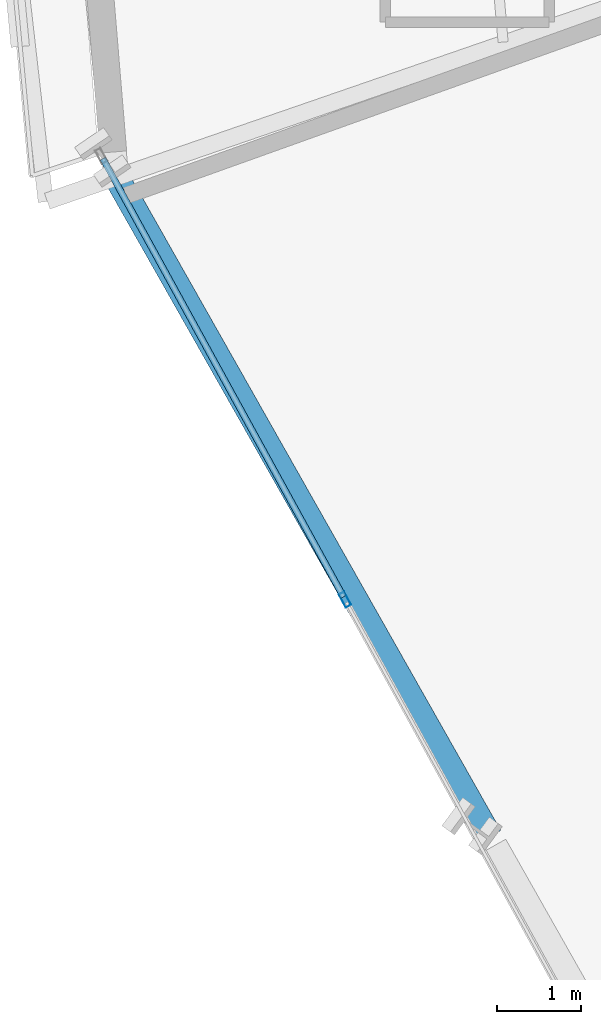
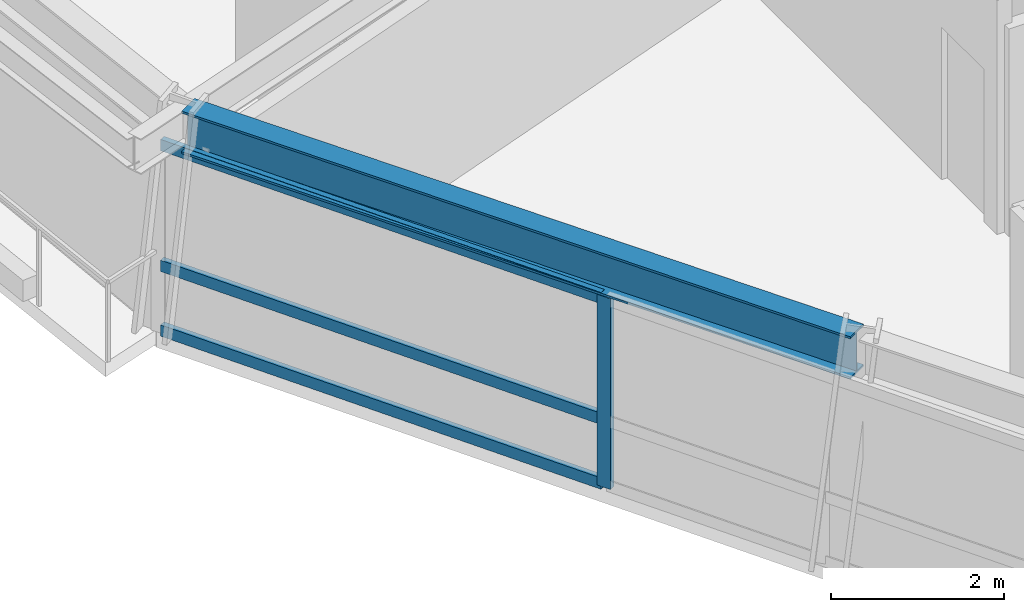
# One storey, part 3 of 21: 4 members, 1 beam, 1 element without a shape of its own.
"""IFC4 building model written with IfcOpenShell, lengths in metres."""

from ifc_helpers import new_model, si_unit, direction, frame, origin, origin_2d, place, context, subcontext, project, spatial, hollow_rectangle, i_section, extrude, source, transform, mapped, material, material_profile, profile_set, type_object, element, aggregate, save


model = new_model("IFC4")

# Units and contexts
model_context = context("Model", 3, precision=1e-05, world=origin(), true_north=direction((0.0, 1.0)))
body_context = subcontext(model_context, "Body", "Model", "MODEL_VIEW")
ifc_project = project(units=[si_unit("LENGTHUNIT", "METRE"), si_unit("AREAUNIT", "SQUARE_METRE"), si_unit("VOLUMEUNIT", "CUBIC_METRE"), si_unit("PLANEANGLEUNIT", "RADIAN"), si_unit("MASSUNIT", "GRAM", prefix="KILO")], contexts=[model_context])

# Site, building, storey
site_placement = place(None, origin())
site = spatial("IfcSite", under=ifc_project, at=site_placement, CompositionType="ELEMENT")
building_placement = place(site_placement, origin())
building = spatial("IfcBuilding", under=site, at=building_placement, Name="Olszyna Solenne Hotel", CompositionType="ELEMENT")
storey_placement = place(building_placement, frame((0.0, 0.0, 109.25)))
storey = spatial("IfcBuildingStorey", under=building, at=storey_placement, Name="L28", CompositionType="ELEMENT", Elevation=109.25)

# Beam
ifc_material_1 = material(Name="Steel S355J2", Category="steel")
ifc_material_profile_1 = material_profile(ifc_material_1, i_section(OverallWidth=0.300048828125, OverallDepth=0.60009765625, WebThickness=0.015380859375, FlangeThickness=0.030029296875, at=origin_2d()), Name="HEB 600", Category="load-bearing")
ifc_profile_set_1 = profile_set([ifc_material_profile_1], Name="Steel S355J2")
beam_type = type_object("IfcBeamType", Name="BM-S2", PredefinedType="BEAM", material=ifc_profile_set_1)
shared_shape_1 = source(origin(), body_context, "Body", "SweptSolid", [
    extrude(i_section(OverallWidth=0.300048828125, OverallDepth=0.60009765625, WebThickness=0.015380859375, FlangeThickness=0.030029296875, at=origin_2d()), origin(), (0.0, 0.0, 1.0), 8.970703125),
])
beam_placement = place(storey_placement, frame((18.204345703125, 19.71240234375, 3.0), z_axis=(0.492785266058, -0.870150953315, 0.0), x_axis=(0.870150953315, 0.492785266058, 0.0)))
element("IfcBeam", 1, at=beam_placement, inside=storey, type_object=beam_type, Name="Perimeter spandrel beam BM-S2 B-L28-0845", PredefinedType="BEAM", context=body_context, shape_type="MappedRepresentation", body=[
    mapped(shared_shape_1, transform((0.0, 0.0, 0.0), x_axis=(1.0, 0.0, 0.0), y_axis=(0.0, 1.0, 0.0), z_axis=(0.0, 0.0, 1.0), scale=1.0)),
])

# Curtain wall, members
ifc_material_2 = material(Name="Anodised bronze aluminium", Category="aluminium")
curtain_wall_type = type_object("IfcCurtainWallType", Name="CW-SYS-3", PredefinedType="NOTDEFINED", material=ifc_material_2)
curtain_wall_placement = place(storey_placement, origin())
curtain_wall = element("IfcCurtainWall", 2, at=curtain_wall_placement, inside=storey, type_object=curtain_wall_type, Name="Unitised curtain wall CW-SYS-3 CW-L28-01", PredefinedType="NOTDEFINED")
ifc_material_profile_2 = material_profile(ifc_material_2, hollow_rectangle(XDim=0.074951171875, YDim=0.179931640625, WallThickness=0.00439453125, at=origin_2d()), Name="MULL 180x75x4.5", Category="load-bearing")
ifc_profile_set_2 = profile_set([ifc_material_profile_2], Name="Anodised bronze aluminium")
member_type_1 = type_object("IfcMemberType", Name="CW-M2", PredefinedType="MULLION", material=ifc_profile_set_2)
shared_shape_2 = source(origin(), body_context, "Body", "SweptSolid", [
    extrude(hollow_rectangle(XDim=0.074951171875, YDim=0.179931640625, WallThickness=0.00439453125, at=origin_2d()), origin(), (0.0, 0.0, 1.0), 2.69189453125),
])
member_1_placement = place(storey_placement, frame((20.900390625, 14.730224609375, 0.0), z_axis=(0.0, 0.0, 1.0), x_axis=(0.876535283653, 0.481337611777, 0.0)))
member_1 = element("IfcMember", 3, at=member_1_placement, type_object=member_type_1, Name="Curtain-wall mullion CW-M2 CM-L28-01-02", PredefinedType="MULLION", context=body_context, shape_type="MappedRepresentation", body=[
    mapped(shared_shape_2, transform((0.0, 0.0, 0.0), x_axis=(1.0, 0.0, 0.0), y_axis=(0.0, 1.0, 0.0), z_axis=(0.0, 0.0, 1.0), scale=1.0)),
])
ifc_material_profile_3 = material_profile(ifc_material_2, hollow_rectangle(XDim=0.074951171875, YDim=0.159912109375, WallThickness=0.00390625, at=origin_2d()), Name="TRAN 160x75x4", Category="load-bearing")
ifc_profile_set_3 = profile_set([ifc_material_profile_3], Name="Anodised bronze aluminium")
member_type_2 = type_object("IfcMemberType", Name="CW-T1", PredefinedType="USERDEFINED", material=ifc_profile_set_3)
shared_shape_3 = source(origin(), body_context, "Body", "SweptSolid", [
    extrude(hollow_rectangle(XDim=0.074951171875, YDim=0.159912109375, WallThickness=0.00390625, at=origin_2d()), origin(), (0.0, 0.0, 1.0), 5.954833984375),
])
member_2_placement = place(storey_placement, frame((18.01611328125, 19.982666015625, 0.03759765625), z_axis=(0.481320581032, -0.876544635644, 0.0), x_axis=(0.876544635644, 0.481320581032, 0.0)))
member_2 = element("IfcMember", 4, at=member_2_placement, type_object=member_type_2, Name="Curtain-wall transom CW-T1 CT-L28-01-01", ObjectType="TRANSOM", PredefinedType="USERDEFINED", context=body_context, shape_type="MappedRepresentation", body=[
    mapped(shared_shape_3, transform((0.0, 0.0, 0.0), x_axis=(1.0, 0.0, 0.0), y_axis=(0.0, 1.0, 0.0), z_axis=(0.0, 0.0, 1.0), scale=1.0)),
])
member_3_placement = place(storey_placement, frame((18.01611328125, 19.982666015625, 0.949951171875), z_axis=(0.481320581032, -0.876544635644, 0.0), x_axis=(0.876544635644, 0.481320581032, 0.0)))
member_3 = element("IfcMember", 5, at=member_3_placement, type_object=member_type_2, Name="Curtain-wall transom CW-T1 CT-L28-01-02", ObjectType="TRANSOM", PredefinedType="USERDEFINED", context=body_context, shape_type="MappedRepresentation", body=[
    mapped(shared_shape_3, transform((0.0, 0.0, 0.0), x_axis=(1.0, 0.0, 0.0), y_axis=(0.0, 1.0, 0.0), z_axis=(0.0, 0.0, 1.0), scale=1.0)),
])
member_4_placement = place(storey_placement, frame((18.01611328125, 19.982666015625, 2.654541015625), z_axis=(0.481320581032, -0.876544635644, 0.0), x_axis=(0.876544635644, 0.481320581032, 0.0)))
member_4 = element("IfcMember", 6, at=member_4_placement, type_object=member_type_2, Name="Curtain-wall transom CW-T1 CT-L28-01-03", ObjectType="TRANSOM", PredefinedType="USERDEFINED", context=body_context, shape_type="MappedRepresentation", body=[
    mapped(shared_shape_3, transform((0.0, 0.0, 0.0), x_axis=(1.0, 0.0, 0.0), y_axis=(0.0, 1.0, 0.0), z_axis=(0.0, 0.0, 1.0), scale=1.0)),
])
aggregate(curtain_wall, [member_1, member_2, member_3, member_4])

save(model, "model.ifc")
